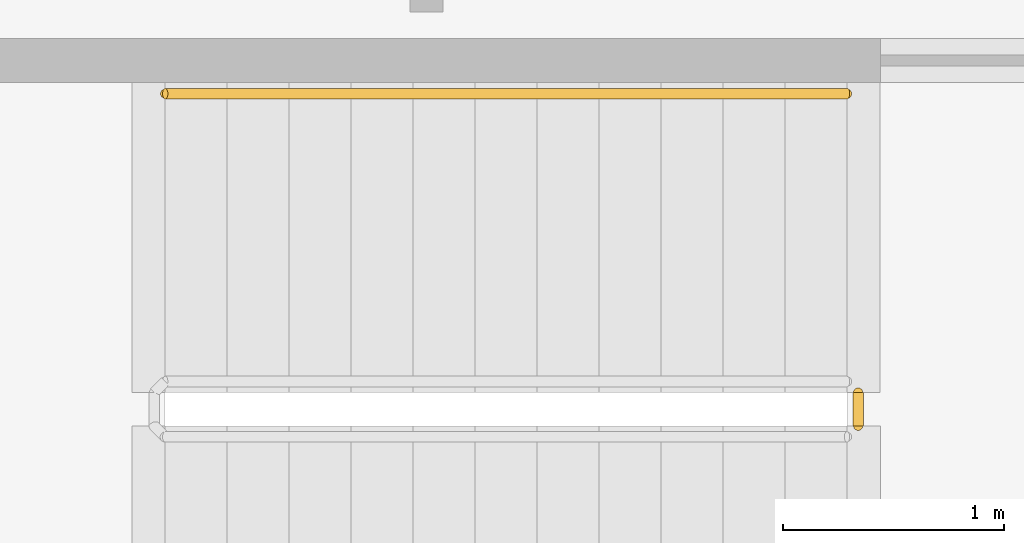
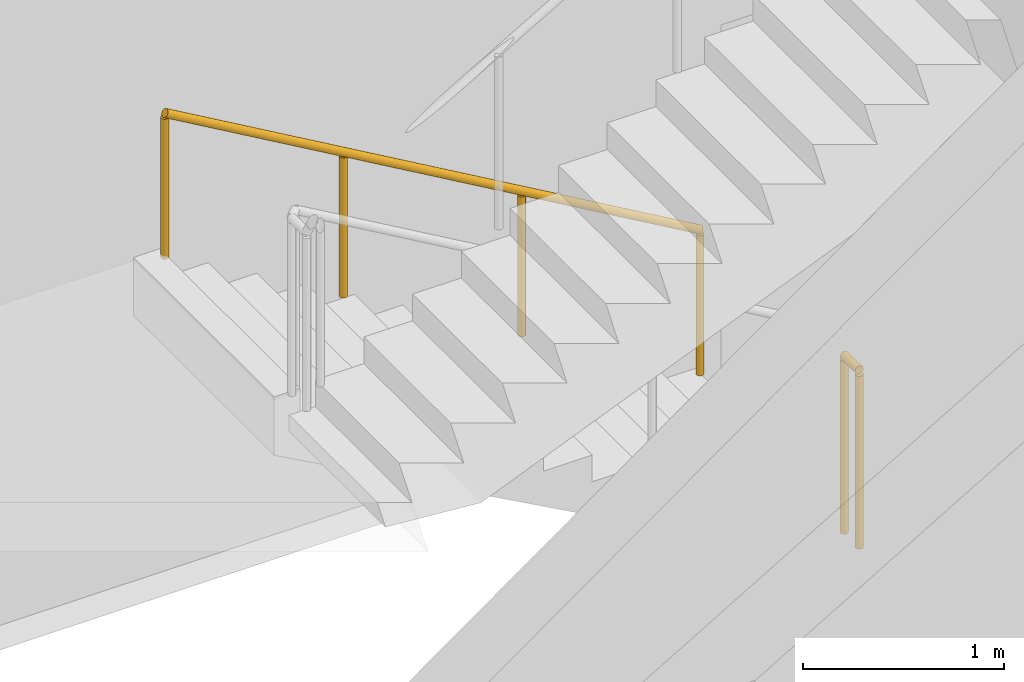
# One storey, part 20 of 23: 2 railings.
"""IFC4 building model written with IfcOpenShell, lengths in metres."""

from ifc_helpers import new_model, si_unit, direction, frame, origin, origin_2d, place, context, subcontext, project, spatial, circle, extrude, material, type_object, element, save


model = new_model("IFC4")

# Units and contexts
model_context = context("Model", 3, precision=1e-05, world=origin(), true_north=direction((0.0, 1.0)))
body_context = subcontext(model_context, "Body", "Model", "MODEL_VIEW")
ifc_project = project(units=[si_unit("LENGTHUNIT", "METRE"), si_unit("AREAUNIT", "SQUARE_METRE"), si_unit("VOLUMEUNIT", "CUBIC_METRE"), si_unit("PLANEANGLEUNIT", "RADIAN"), si_unit("MASSUNIT", "GRAM", prefix="KILO")], contexts=[model_context])

# Site, building, storey
site_placement = place(None, origin())
site = spatial("IfcSite", under=ifc_project, at=site_placement, CompositionType="ELEMENT")
building_placement = place(site_placement, origin())
building = spatial("IfcBuilding", under=site, at=building_placement, Name="Kheshtan School and Residences Tower", CompositionType="ELEMENT")
storey_placement = place(building_placement, frame((0.0, 0.0, 243.5)))
storey = spatial("IfcBuildingStorey", under=building, at=storey_placement, Name="L57", CompositionType="ELEMENT", Elevation=243.5)

# Railings
ifc_material_1 = material(Name="Stainless steel balustrade", Category="steel")
railing_type_1 = type_object("IfcRailingType", Name="Stair guard 1100", PredefinedType="GUARDRAIL", material=ifc_material_1)
railing_1_placement = place(storey_placement, frame((78.4599609375, 24.39990234375, 0.0)))
element("IfcRailing", 1, at=railing_1_placement, inside=storey, type_object=railing_type_1, Name="L57 ST5 stair guard 2", PredefinedType="GUARDRAIL", context=body_context, shape_type="SweptSolid", body=[
    extrude(circle(Radius=0.02392578125, at=origin_2d()), frame((0.0, 0.0, 1.076171875), z_axis=(0.0, -1.0, 0.0), x_axis=(1.0, 0.0, 0.0)), (0.0, 0.0, 1.0), 0.14990234375),
    extrude(circle(Radius=0.02099609375, at=origin_2d()), origin(), (0.0, 0.0, 1.0), 1.052001953125),
    extrude(circle(Radius=0.02099609375, at=origin_2d()), frame((0.0, -0.14990234375, 0.0)), (0.0, 0.0, 1.0), 1.052001953125),
])
ifc_material_2 = material(Name="Stainless steel handrail", Category="steel")
railing_type_2 = type_object("IfcRailingType", Name="Stair handrail 900", PredefinedType="HANDRAIL", material=ifc_material_2)
railing_2_placement = place(storey_placement, frame((78.409912109375, 25.75, 0.16259765625)))
element("IfcRailing", 2, at=railing_2_placement, inside=storey, type_object=railing_type_2, Name="L57 ST5 stair handrail 1", PredefinedType="HANDRAIL", context=body_context, shape_type="SweptSolid", body=[
    extrude(circle(Radius=0.02392578125, at=origin_2d()), frame((0.0, 0.0, 0.8759765625), z_axis=(-0.864903211148, 0.0, 0.501938676878), x_axis=(0.0, -1.0, 0.0)), (0.0, 0.0, 1.0), 3.560791015625),
    extrude(circle(Radius=0.02099609375, at=origin_2d()), origin(), (0.0, 0.0, 1.0), 0.851806640625),
    extrude(circle(Radius=0.02099609375, at=origin_2d()), frame((-1.026611328125, 0.0, 0.595703125)), (0.0, 0.0, 1.0), 0.851806640625),
    extrude(circle(Radius=0.02099609375, at=origin_2d()), frame((-2.05322265625, 0.0, 1.191650390625)), (0.0, 0.0, 1.0), 0.851806640625),
    extrude(circle(Radius=0.02099609375, at=origin_2d()), frame((-3.079833984375, 0.0, 1.787353515625)), (0.0, 0.0, 1.0), 0.851806640625),
])

save(model, "model.ifc")
